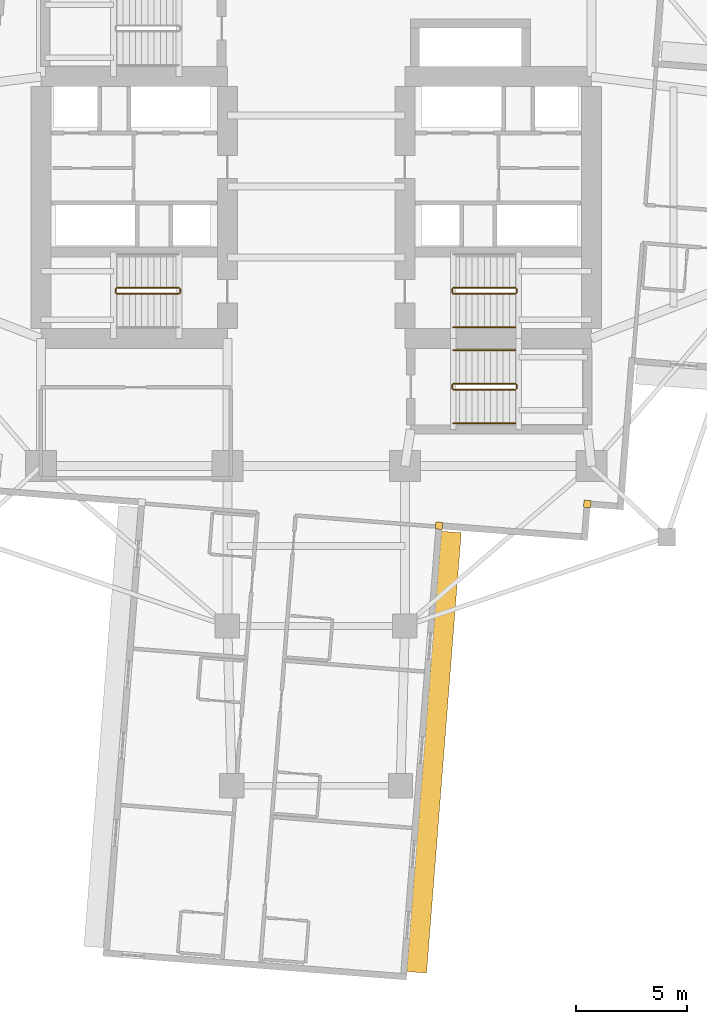
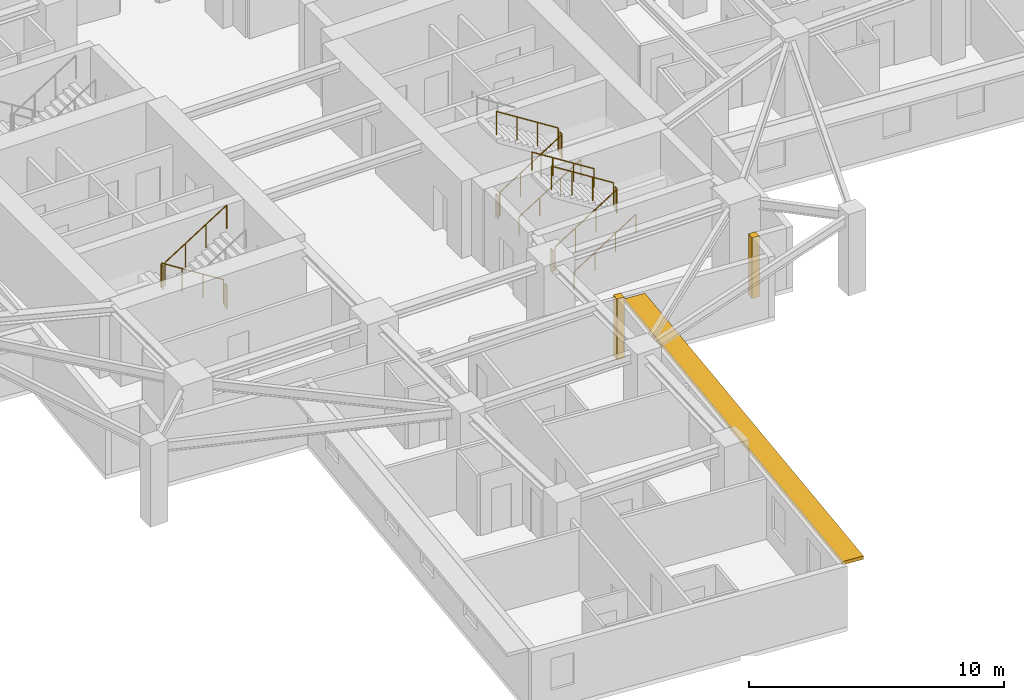
# One storey, part 11 of 14: 15 railings, 2 coverings, 1 shading device.
"""IFC4 building model written with IfcOpenShell, lengths in metres."""

from ifc_helpers import new_model, si_unit, direction, frame, origin, origin_2d, place, context, subcontext, project, spatial, rectangle, circle, extrude, material, layer, layer_set, type_object, element, save


model = new_model("IFC4")

# Units and contexts
model_context = context("Model", 3, precision=1e-05, world=origin(), true_north=direction((0.0, 1.0)))
body_context = subcontext(model_context, "Body", "Model", "MODEL_VIEW")
ifc_project = project(units=[si_unit("LENGTHUNIT", "METRE"), si_unit("AREAUNIT", "SQUARE_METRE"), si_unit("VOLUMEUNIT", "CUBIC_METRE"), si_unit("PLANEANGLEUNIT", "RADIAN"), si_unit("MASSUNIT", "GRAM", prefix="KILO")], contexts=[model_context])

# Site, building, storey
site_placement = place(None, origin())
site = spatial("IfcSite", under=ifc_project, at=site_placement, CompositionType="ELEMENT")
building_placement = place(site_placement, origin())
building = spatial("IfcBuilding", under=site, at=building_placement, Name="Qingluan Cross Belvedere", CompositionType="ELEMENT")
storey_placement = place(building_placement, frame((0.0, 0.0, 83.39990234375)))
storey = spatial("IfcBuildingStorey", under=building, at=storey_placement, Name="L21", CompositionType="ELEMENT", Elevation=83.39990234375)

# Coverings
ifc_material_1 = material(Name="Precast concrete C45", Category="concrete")
ifc_layer_1 = layer(ifc_material_1, 0.1201171875, Name="ConcreteSpandrelCladding_120")
ifc_layer_set_1 = layer_set([ifc_layer_1], Name="Precast concrete C45")
covering_type = type_object("IfcCoveringType", Name="ConcreteSpandrelCladding_120", PredefinedType="CLADDING", material=ifc_layer_set_1)
for number, where, z_axis, x_axis, name in (
    (1, (12.215576171875, -14.302490234375, 0.0), (0.0, 0.0, 1.0), (0.996917333733, -0.078459095728, 0.0), "Corner closure L21-SE1"),
    (2, (5.5380859375, -15.281494140625, 0.0), (0.0, 0.0, 1.0), (0.996917333733, -0.078459095728, 0.0), "Corner closure L21-SE2"),
):
    element("IfcCovering", number, at=place(storey_placement, frame(where, z_axis=z_axis, x_axis=x_axis)), inside=storey, type_object=covering_type, Name=name, PredefinedType="CLADDING", context=body_context, shape_type="SweptSolid", body=[
        extrude(rectangle(XDim=0.320068359375, YDim=0.320068359375, at=origin_2d()), origin(), (0.0, 0.0, 1.0), 2.909912109375),
    ])

# Shading device
ifc_material_2 = material(Name="Precast concrete C45", Category="concrete")
ifc_layer_2 = layer(ifc_material_2, 0.159912109375, Name="ConcreteSunshadeBand_900")
ifc_layer_set_2 = layer_set([ifc_layer_2], Name="Precast concrete C45")
shading_device_type = type_object("IfcShadingDeviceType", Name="ConcreteSunshadeBand_900", PredefinedType="USERDEFINED", material=ifc_layer_set_2)
shading_device_placement = place(storey_placement, frame((5.306884765625, -25.48486328125, 2.72998046875), z_axis=(0.0, 0.0, 1.0), x_axis=(0.078457869429, 0.996917430244, 0.0)))
element("IfcShadingDevice", 3, at=shading_device_placement, inside=storey, type_object=shading_device_type, Name="Concrete SUNSHADE L21-SB", ObjectType="SUNSHADE", PredefinedType="USERDEFINED", context=body_context, shape_type="SweptSolid", body=[
    extrude(rectangle(XDim=19.89990234375, YDim=0.89990234375, at=origin_2d()), origin(), (0.0, 0.0, 1.0), 0.159912109375),
])

# Railings
ifc_material_3 = material(Name="Brushed stainless steel tubular handrail", Category="steel")
railing_type_1 = type_object("IfcRailingType", Name="StairPitchHandrail_900", PredefinedType="HANDRAIL", material=ifc_material_3)
for number, where, name in (
    (4, (6.179931640625, -6.35009765625, 0.177490234375), "L21 ST2 stair handrail 1"),
    (5, (6.179931640625, -10.669921875, 0.177490234375), "L21 ST4 stair handrail 1"),
):
    element("IfcRailing", number, at=place(storey_placement, frame(where)), inside=storey, type_object=railing_type_1, Name=name, PredefinedType="HANDRAIL", context=body_context, shape_type="SweptSolid", body=[
        extrude(circle(Radius=0.02392578125, at=origin_2d()), frame((0.0, 0.0, 0.8759765625), z_axis=(0.844908973607, 0.0, 0.534910110503), x_axis=(0.0, 1.0, 0.0)), (0.0, 0.0, 1.0), 3.31396484375),
        extrude(circle(Radius=0.02099609375, at=origin_2d()), origin(), (0.0, 0.0, 1.0), 0.851806640625),
        extrude(circle(Radius=0.02099609375, at=origin_2d()), frame((0.933349609375, 0.0, 0.5908203125)), (0.0, 0.0, 1.0), 0.851806640625),
        extrude(circle(Radius=0.02099609375, at=origin_2d()), frame((1.86669921875, 0.0, 1.181884765625)), (0.0, 0.0, 1.0), 0.851806640625),
        extrude(circle(Radius=0.02099609375, at=origin_2d()), frame((2.800048828125, 0.0, 1.772705078125)), (0.0, 0.0, 1.0), 0.851806640625),
    ])
railing_1_placement = place(storey_placement, frame((8.97998046875, -7.3701171875, 2.12744140625)))
element("IfcRailing", 6, at=railing_1_placement, inside=storey, type_object=railing_type_1, Name="L21 ST4 stair handrail 2", PredefinedType="HANDRAIL", context=body_context, shape_type="SweptSolid", body=[
    extrude(circle(Radius=0.02392578125, at=origin_2d()), frame((0.0, 0.0, 0.8759765625), z_axis=(-0.844908973607, 0.0, 0.534910110503), x_axis=(0.0, -1.0, 0.0)), (0.0, 0.0, 1.0), 3.31396484375),
    extrude(circle(Radius=0.02099609375, at=origin_2d()), origin(), (0.0, 0.0, 1.0), 0.851806640625),
    extrude(circle(Radius=0.02099609375, at=origin_2d()), frame((-0.933349609375, 0.0, 0.5908203125)), (0.0, 0.0, 1.0), 0.851806640625),
    extrude(circle(Radius=0.02099609375, at=origin_2d()), frame((-1.86669921875, 0.0, 1.181884765625)), (0.0, 0.0, 1.0), 0.851806640625),
    extrude(circle(Radius=0.02099609375, at=origin_2d()), frame((-2.800048828125, 0.0, 1.772705078125)), (0.0, 0.0, 1.0), 0.851806640625),
])
ifc_material_4 = material(Name="Painted steel stair well guard", Category="steel")
railing_type_2 = type_object("IfcRailingType", Name="StairWellGuard_1150", PredefinedType="BALUSTRADE", material=ifc_material_4)
railing_2_placement = place(storey_placement, frame((-6.179931640625, -4.570068359375, 0.177490234375)))
element("IfcRailing", 7, at=railing_2_placement, inside=storey, type_object=railing_type_2, Name="L21 ST1 stair guard 1", PredefinedType="BALUSTRADE", context=body_context, shape_type="SweptSolid", body=[
    extrude(circle(Radius=0.02392578125, at=origin_2d()), frame((0.0, 0.0, 1.1259765625), z_axis=(-0.844908973607, 0.0, 0.534910110503), x_axis=(0.0, -1.0, 0.0)), (0.0, 0.0, 1.0), 3.31396484375),
    extrude(circle(Radius=0.02099609375, at=origin_2d()), origin(), (0.0, 0.0, 1.0), 1.101806640625),
    extrude(circle(Radius=0.02099609375, at=origin_2d()), frame((-0.933349609375, 0.0, 0.5908203125)), (0.0, 0.0, 1.0), 1.101806640625),
    extrude(circle(Radius=0.02099609375, at=origin_2d()), frame((-1.86669921875, 0.0, 1.181884765625)), (0.0, 0.0, 1.0), 1.101806640625),
    extrude(circle(Radius=0.02099609375, at=origin_2d()), frame((-2.800048828125, 0.0, 1.772705078125)), (0.0, 0.0, 1.0), 1.101806640625),
])
railing_3_placement = place(storey_placement, frame((-9.030029296875, -4.6201171875, 1.9501953125)))
element("IfcRailing", 8, at=railing_3_placement, inside=storey, type_object=railing_type_2, Name="L21 ST1 stair guard 2", PredefinedType="BALUSTRADE", context=body_context, shape_type="SweptSolid", body=[
    extrude(circle(Radius=0.02392578125, at=origin_2d()), frame((0.0, 0.0, 1.1259765625), z_axis=(0.0, -1.0, 0.0), x_axis=(1.0, 0.0, 0.0)), (0.0, 0.0, 1.0), 0.159912109375),
    extrude(circle(Radius=0.02099609375, at=origin_2d()), origin(), (0.0, 0.0, 1.0), 1.101806640625),
    extrude(circle(Radius=0.02099609375, at=origin_2d()), frame((0.0, -0.159912109375, 0.0)), (0.0, 0.0, 1.0), 1.101806640625),
])
railing_4_placement = place(storey_placement, frame((-8.97998046875, -4.830078125, 2.12744140625)))
element("IfcRailing", 9, at=railing_4_placement, inside=storey, type_object=railing_type_2, Name="L21 ST1 stair guard 3", PredefinedType="BALUSTRADE", context=body_context, shape_type="SweptSolid", body=[
    extrude(circle(Radius=0.02392578125, at=origin_2d()), frame((0.0, 0.0, 1.1259765625), z_axis=(0.844908973607, 0.0, 0.534910110503), x_axis=(0.0, 1.0, 0.0)), (0.0, 0.0, 1.0), 3.31396484375),
    extrude(circle(Radius=0.02099609375, at=origin_2d()), origin(), (0.0, 0.0, 1.0), 1.101806640625),
    extrude(circle(Radius=0.02099609375, at=origin_2d()), frame((0.933349609375, 0.0, 0.5908203125)), (0.0, 0.0, 1.0), 1.101806640625),
    extrude(circle(Radius=0.02099609375, at=origin_2d()), frame((1.86669921875, 0.0, 1.181884765625)), (0.0, 0.0, 1.0), 1.101806640625),
    extrude(circle(Radius=0.02099609375, at=origin_2d()), frame((2.800048828125, 0.0, 1.772705078125)), (0.0, 0.0, 1.0), 1.101806640625),
])
railing_5_placement = place(storey_placement, frame((-6.1298828125, -4.6201171875, 0.0)))
element("IfcRailing", 10, at=railing_5_placement, inside=storey, type_object=railing_type_2, Name="L21 ST1 stair guard 4", PredefinedType="BALUSTRADE", context=body_context, shape_type="SweptSolid", body=[
    extrude(circle(Radius=0.02392578125, at=origin_2d()), frame((0.0, 0.0, 1.1259765625), z_axis=(0.0, -1.0, 0.0), x_axis=(1.0, 0.0, 0.0)), (0.0, 0.0, 1.0), 0.159912109375),
    extrude(circle(Radius=0.02099609375, at=origin_2d()), origin(), (0.0, 0.0, 1.0), 1.101806640625),
    extrude(circle(Radius=0.02099609375, at=origin_2d()), frame((0.0, -0.159912109375, 0.0)), (0.0, 0.0, 1.0), 1.101806640625),
])
railing_6_placement = place(storey_placement, frame((6.179931640625, -4.830078125, 0.177490234375)))
element("IfcRailing", 11, at=railing_6_placement, inside=storey, type_object=railing_type_2, Name="L21 ST2 stair guard 1", PredefinedType="BALUSTRADE", context=body_context, shape_type="SweptSolid", body=[
    extrude(circle(Radius=0.02392578125, at=origin_2d()), frame((0.0, 0.0, 1.1259765625), z_axis=(0.844908973607, 0.0, 0.534910110503), x_axis=(0.0, 1.0, 0.0)), (0.0, 0.0, 1.0), 3.31396484375),
    extrude(circle(Radius=0.02099609375, at=origin_2d()), origin(), (0.0, 0.0, 1.0), 1.101806640625),
    extrude(circle(Radius=0.02099609375, at=origin_2d()), frame((0.933349609375, 0.0, 0.5908203125)), (0.0, 0.0, 1.0), 1.101806640625),
    extrude(circle(Radius=0.02099609375, at=origin_2d()), frame((1.86669921875, 0.0, 1.181884765625)), (0.0, 0.0, 1.0), 1.101806640625),
    extrude(circle(Radius=0.02099609375, at=origin_2d()), frame((2.800048828125, 0.0, 1.772705078125)), (0.0, 0.0, 1.0), 1.101806640625),
])
railing_7_placement = place(storey_placement, frame((9.030029296875, -4.780029296875, 1.9501953125)))
element("IfcRailing", 12, at=railing_7_placement, inside=storey, type_object=railing_type_2, Name="L21 ST2 stair guard 2", PredefinedType="BALUSTRADE", context=body_context, shape_type="SweptSolid", body=[
    extrude(circle(Radius=0.02392578125, at=origin_2d()), frame((0.0, 0.0, 1.1259765625), z_axis=(0.0, 1.0, 0.0), x_axis=(-1.0, 0.0, 0.0)), (0.0, 0.0, 1.0), 0.159912109375),
    extrude(circle(Radius=0.02099609375, at=origin_2d()), origin(), (0.0, 0.0, 1.0), 1.101806640625),
    extrude(circle(Radius=0.02099609375, at=origin_2d()), frame((0.0, 0.159912109375, 0.0)), (0.0, 0.0, 1.0), 1.101806640625),
])
railing_8_placement = place(storey_placement, frame((8.97998046875, -4.570068359375, 2.12744140625)))
element("IfcRailing", 13, at=railing_8_placement, inside=storey, type_object=railing_type_2, Name="L21 ST2 stair guard 3", PredefinedType="BALUSTRADE", context=body_context, shape_type="SweptSolid", body=[
    extrude(circle(Radius=0.02392578125, at=origin_2d()), frame((0.0, 0.0, 1.1259765625), z_axis=(-0.844908973607, 0.0, 0.534910110503), x_axis=(0.0, -1.0, 0.0)), (0.0, 0.0, 1.0), 3.31396484375),
    extrude(circle(Radius=0.02099609375, at=origin_2d()), origin(), (0.0, 0.0, 1.0), 1.101806640625),
    extrude(circle(Radius=0.02099609375, at=origin_2d()), frame((-0.933349609375, 0.0, 0.5908203125)), (0.0, 0.0, 1.0), 1.101806640625),
    extrude(circle(Radius=0.02099609375, at=origin_2d()), frame((-1.86669921875, 0.0, 1.181884765625)), (0.0, 0.0, 1.0), 1.101806640625),
    extrude(circle(Radius=0.02099609375, at=origin_2d()), frame((-2.800048828125, 0.0, 1.772705078125)), (0.0, 0.0, 1.0), 1.101806640625),
])
railing_9_placement = place(storey_placement, frame((6.1298828125, -4.780029296875, 0.0)))
element("IfcRailing", 14, at=railing_9_placement, inside=storey, type_object=railing_type_2, Name="L21 ST2 stair guard 4", PredefinedType="BALUSTRADE", context=body_context, shape_type="SweptSolid", body=[
    extrude(circle(Radius=0.02392578125, at=origin_2d()), frame((0.0, 0.0, 1.1259765625), z_axis=(0.0, 1.0, 0.0), x_axis=(-1.0, 0.0, 0.0)), (0.0, 0.0, 1.0), 0.159912109375),
    extrude(circle(Radius=0.02099609375, at=origin_2d()), origin(), (0.0, 0.0, 1.0), 1.101806640625),
    extrude(circle(Radius=0.02099609375, at=origin_2d()), frame((0.0, 0.159912109375, 0.0)), (0.0, 0.0, 1.0), 1.101806640625),
])
railing_10_placement = place(storey_placement, frame((6.179931640625, -9.14990234375, 0.177490234375)))
element("IfcRailing", 15, at=railing_10_placement, inside=storey, type_object=railing_type_2, Name="L21 ST4 stair guard 1", PredefinedType="BALUSTRADE", context=body_context, shape_type="SweptSolid", body=[
    extrude(circle(Radius=0.02392578125, at=origin_2d()), frame((0.0, 0.0, 1.1259765625), z_axis=(0.844908973607, 0.0, 0.534910110503), x_axis=(0.0, 1.0, 0.0)), (0.0, 0.0, 1.0), 3.31396484375),
    extrude(circle(Radius=0.02099609375, at=origin_2d()), origin(), (0.0, 0.0, 1.0), 1.101806640625),
    extrude(circle(Radius=0.02099609375, at=origin_2d()), frame((0.933349609375, 0.0, 0.5908203125)), (0.0, 0.0, 1.0), 1.101806640625),
    extrude(circle(Radius=0.02099609375, at=origin_2d()), frame((1.86669921875, 0.0, 1.181884765625)), (0.0, 0.0, 1.0), 1.101806640625),
    extrude(circle(Radius=0.02099609375, at=origin_2d()), frame((2.800048828125, 0.0, 1.772705078125)), (0.0, 0.0, 1.0), 1.101806640625),
])
railing_11_placement = place(storey_placement, frame((9.030029296875, -9.10009765625, 1.9501953125)))
element("IfcRailing", 16, at=railing_11_placement, inside=storey, type_object=railing_type_2, Name="L21 ST4 stair guard 2", PredefinedType="BALUSTRADE", context=body_context, shape_type="SweptSolid", body=[
    extrude(circle(Radius=0.02392578125, at=origin_2d()), frame((0.0, 0.0, 1.1259765625), z_axis=(0.0, 1.0, 0.0), x_axis=(-1.0, 0.0, 0.0)), (0.0, 0.0, 1.0), 0.16015625),
    extrude(circle(Radius=0.02099609375, at=origin_2d()), origin(), (0.0, 0.0, 1.0), 1.101806640625),
    extrude(circle(Radius=0.02099609375, at=origin_2d()), frame((0.0, 0.16015625, 0.0)), (0.0, 0.0, 1.0), 1.101806640625),
])
railing_12_placement = place(storey_placement, frame((8.97998046875, -8.889892578125, 2.12744140625)))
element("IfcRailing", 17, at=railing_12_placement, inside=storey, type_object=railing_type_2, Name="L21 ST4 stair guard 3", PredefinedType="BALUSTRADE", context=body_context, shape_type="SweptSolid", body=[
    extrude(circle(Radius=0.02392578125, at=origin_2d()), frame((0.0, 0.0, 1.1259765625), z_axis=(-0.844908973607, 0.0, 0.534910110503), x_axis=(0.0, -1.0, 0.0)), (0.0, 0.0, 1.0), 3.31396484375),
    extrude(circle(Radius=0.02099609375, at=origin_2d()), origin(), (0.0, 0.0, 1.0), 1.101806640625),
    extrude(circle(Radius=0.02099609375, at=origin_2d()), frame((-0.933349609375, 0.0, 0.5908203125)), (0.0, 0.0, 1.0), 1.101806640625),
    extrude(circle(Radius=0.02099609375, at=origin_2d()), frame((-1.86669921875, 0.0, 1.181884765625)), (0.0, 0.0, 1.0), 1.101806640625),
    extrude(circle(Radius=0.02099609375, at=origin_2d()), frame((-2.800048828125, 0.0, 1.772705078125)), (0.0, 0.0, 1.0), 1.101806640625),
])
railing_13_placement = place(storey_placement, frame((6.1298828125, -9.10009765625, 0.0)))
element("IfcRailing", 18, at=railing_13_placement, inside=storey, type_object=railing_type_2, Name="L21 ST4 stair guard 4", PredefinedType="BALUSTRADE", context=body_context, shape_type="SweptSolid", body=[
    extrude(circle(Radius=0.02392578125, at=origin_2d()), frame((0.0, 0.0, 1.1259765625), z_axis=(0.0, 1.0, 0.0), x_axis=(-1.0, 0.0, 0.0)), (0.0, 0.0, 1.0), 0.16015625),
    extrude(circle(Radius=0.02099609375, at=origin_2d()), origin(), (0.0, 0.0, 1.0), 1.101806640625),
    extrude(circle(Radius=0.02099609375, at=origin_2d()), frame((0.0, 0.16015625, 0.0)), (0.0, 0.0, 1.0), 1.101806640625),
])

save(model, "model.ifc")
